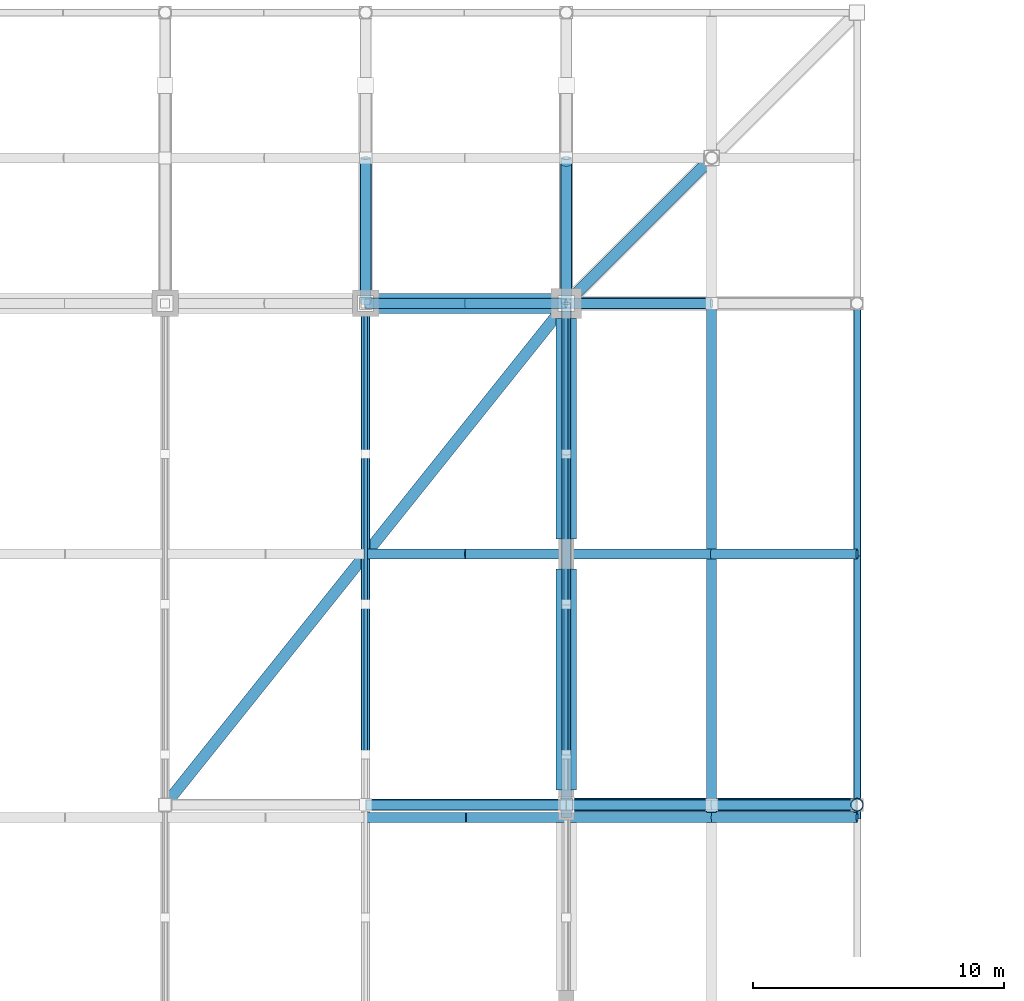
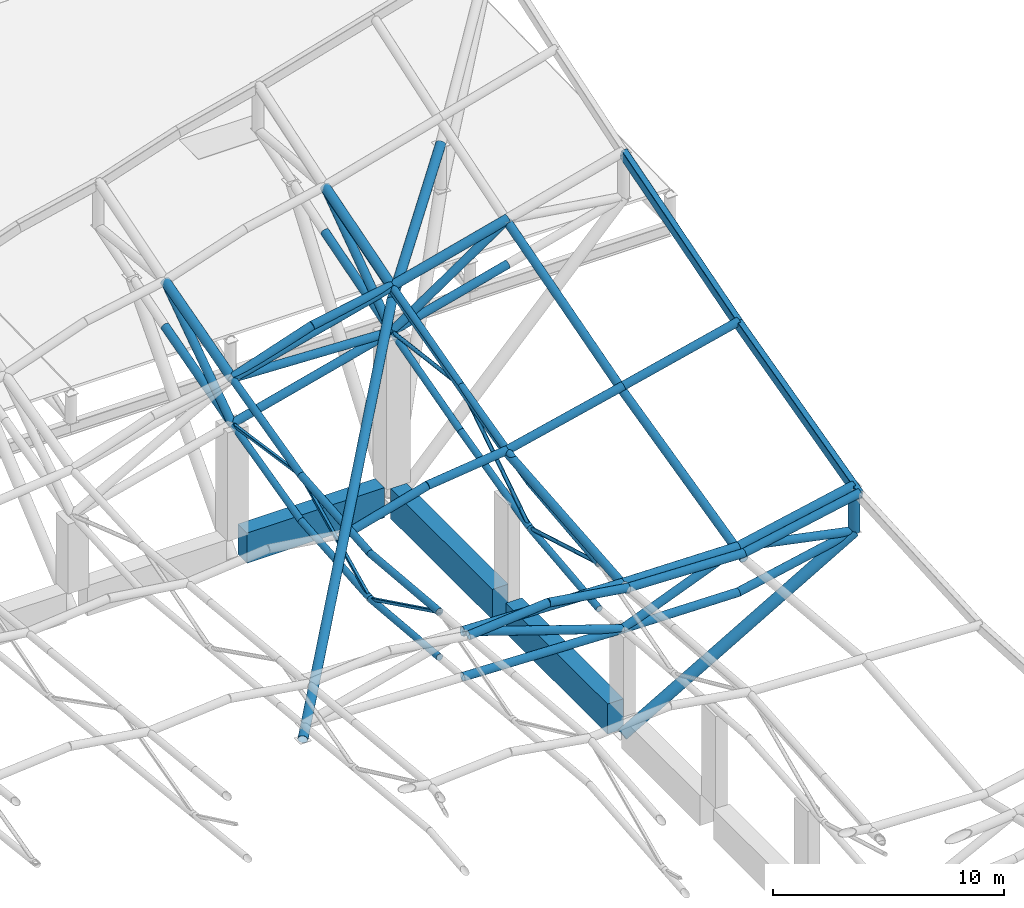
# One storey, part 42 of 75: 58 members, 5 beams.
"""IFC4 building model written with IfcOpenShell, lengths in metres."""

from ifc_helpers import new_model, si_unit, direction, frame, origin, origin_2d, place, context, subcontext, project, spatial, rectangle, hollow_rectangle, hollow_circle, extrude, material, material_profile, profile_set, type_object, element, save


model = new_model("IFC4")

# Units and contexts
model_context = context("Model", 3, precision=1e-05, world=origin(), true_north=direction((0.0, 1.0)))
body_context = subcontext(model_context, "Body", "Model", "MODEL_VIEW")
ifc_project = project(units=[si_unit("LENGTHUNIT", "METRE"), si_unit("AREAUNIT", "SQUARE_METRE"), si_unit("VOLUMEUNIT", "CUBIC_METRE"), si_unit("PLANEANGLEUNIT", "RADIAN"), si_unit("MASSUNIT", "GRAM", prefix="KILO")], contexts=[model_context])

# Site, building, storey
site_placement = place(None, origin())
site = spatial("IfcSite", under=ifc_project, at=site_placement, CompositionType="ELEMENT")
building_placement = place(site_placement, origin())
building = spatial("IfcBuilding", under=site, at=building_placement, Name="Khorjan Park Terminus", CompositionType="ELEMENT")
storey_placement = place(building_placement, frame((0.0, 0.0, 16.2)))
storey = spatial("IfcBuildingStorey", under=building, at=storey_placement, Name="L03", CompositionType="ELEMENT", Elevation=16.2)

# Members
ifc_material_1 = material(Name="Steel S355", Category="steel")
ifc_material_profile_1 = material_profile(ifc_material_1, hollow_circle(Radius=0.0969, WallThickness=0.01, at=origin_2d()), Name="CHS 193.7x10")
ifc_profile_set_1 = profile_set([ifc_material_profile_1], Name="Steel S355")
member_type_1 = type_object("IfcMemberType", Name="MB-BR-194", PredefinedType="BRACE", material=ifc_profile_set_1)
member_1_placement = place(storey_placement, frame((136.0, 70.0, 6.4368), z_axis=(0.0, 0.959849356938, -0.280515974565), x_axis=(-1.0, 0.0, 0.0)))
element("IfcMember", 1, at=member_1_placement, inside=storey, type_object=member_type_1, Name="Upper shell fold space-truss web diagonal (12)", PredefinedType="BRACE", context=body_context, shape_type="SweptSolid", body=[
    extrude(hollow_circle(Radius=0.0969, WallThickness=0.01, at=origin_2d()), origin(), (0.0, 0.0, 1.0), 6.251),
])
member_2_placement = place(storey_placement, frame((136.0, 76.0, 4.6833), z_axis=(0.0, 0.839222492699, 0.543788201186), x_axis=(-1.0, 0.0, 0.0)))
element("IfcMember", 2, at=member_2_placement, inside=storey, type_object=member_type_1, Name="Upper shell fold space-truss web diagonal (12)", PredefinedType="BRACE", context=body_context, shape_type="SweptSolid", body=[
    extrude(hollow_circle(Radius=0.0969, WallThickness=0.01, at=origin_2d()), origin(), (0.0, 0.0, 1.0), 7.1495),
])
member_3_placement = place(storey_placement, frame((136.0, 82.0, 8.5711), z_axis=(0.0, 0.992247315967, -0.124278976325), x_axis=(-1.0, 0.0, 0.0)))
element("IfcMember", 3, at=member_3_placement, inside=storey, type_object=member_type_1, Name="Upper shell fold space-truss web diagonal (12)", PredefinedType="BRACE", context=body_context, shape_type="SweptSolid", body=[
    extrude(hollow_circle(Radius=0.0969, WallThickness=0.01, at=origin_2d()), origin(), (0.0, 0.0, 1.0), 6.0469),
])
ifc_material_profile_2 = material_profile(ifc_material_1, hollow_rectangle(XDim=0.15, YDim=0.15, WallThickness=0.01, InnerFilletRadius=0.01, OuterFilletRadius=0.02, at=origin_2d()), Name="SHS 150x150x10")
ifc_profile_set_2 = profile_set([ifc_material_profile_2], Name="Steel S355")
member_type_2 = type_object("IfcMemberType", Name="MB-BR-SHS150", PredefinedType="BRACE", material=ifc_profile_set_2)
member_4_placement = place(storey_placement, frame((128.0, 70.0, 6.6796), z_axis=(0.0, 0.898043521521, -0.439906619017), x_axis=(-1.0, 0.0, 0.0)))
element("IfcMember", 4, at=member_4_placement, inside=storey, type_object=member_type_2, Name="Upper shell fold space-truss web diagonal (11)", PredefinedType="BRACE", context=body_context, shape_type="SweptSolid", body=[
    extrude(hollow_rectangle(XDim=0.15, YDim=0.15, WallThickness=0.01, InnerFilletRadius=0.01, OuterFilletRadius=0.02, at=origin_2d()), origin(), (0.0, 0.0, 1.0), 6.6812),
])
member_5_placement = place(storey_placement, frame((128.0, 76.0, 3.7405), z_axis=(0.0, 0.900443010963, 0.434974003829), x_axis=(-1.0, 0.0, 0.0)))
element("IfcMember", 5, at=member_5_placement, inside=storey, type_object=member_type_2, Name="Upper shell fold space-truss web diagonal (11)", PredefinedType="BRACE", context=body_context, shape_type="SweptSolid", body=[
    extrude(hollow_rectangle(XDim=0.15, YDim=0.15, WallThickness=0.01, InnerFilletRadius=0.01, OuterFilletRadius=0.02, at=origin_2d()), origin(), (0.0, 0.0, 1.0), 6.6634),
])
member_6_placement = place(storey_placement, frame((128.0, 82.0, 6.6389), z_axis=(0.0, 0.988987074214, -0.148001915656), x_axis=(-1.0, 0.0, 0.0)))
element("IfcMember", 6, at=member_6_placement, inside=storey, type_object=member_type_2, Name="Upper shell fold space-truss web diagonal (11)", PredefinedType="BRACE", context=body_context, shape_type="SweptSolid", body=[
    extrude(hollow_rectangle(XDim=0.15, YDim=0.15, WallThickness=0.01, InnerFilletRadius=0.01, OuterFilletRadius=0.02, at=origin_2d()), origin(), (0.0, 0.0, 1.0), 6.0668),
])
ifc_material_profile_3 = material_profile(ifc_material_1, hollow_circle(Radius=0.162, WallThickness=0.0125, at=origin_2d()), Name="CHS 323.9x12.5")
ifc_profile_set_3 = profile_set([ifc_material_profile_3], Name="Steel S355")
member_type_3 = type_object("IfcMemberType", Name="MB-CH-324", PredefinedType="CHORD", material=ifc_profile_set_3)
member_7_placement = place(storey_placement, frame((128.0, 70.0, 4.2796), z_axis=(0.0, 0.995987765616, -0.089489500741), x_axis=(-1.0, 0.0, 0.0)))
element("IfcMember", 7, at=member_7_placement, inside=storey, type_object=member_type_3, Name="Upper shell fold space-truss bottom chord (11)", PredefinedType="CHORD", context=body_context, shape_type="SweptSolid", body=[
    extrude(hollow_circle(Radius=0.162, WallThickness=0.0125, at=origin_2d()), origin(), (0.0, 0.0, 1.0), 6.0242),
])
member_8_placement = place(storey_placement, frame((128.0, 76.0, 3.7405), z_axis=(0.0, 0.996567716516, 0.082781558319), x_axis=(-1.0, 0.0, 0.0)))
element("IfcMember", 8, at=member_8_placement, inside=storey, type_object=member_type_3, Name="Upper shell fold space-truss bottom chord (11)", PredefinedType="CHORD", context=body_context, shape_type="SweptSolid", body=[
    extrude(hollow_circle(Radius=0.162, WallThickness=0.0125, at=origin_2d()), origin(), (0.0, 0.0, 1.0), 6.0207),
])
member_9_placement = place(storey_placement, frame((128.0, 82.0, 4.2389), z_axis=(0.0, 0.970062560013, 0.242855161899), x_axis=(-1.0, 0.0, 0.0)))
element("IfcMember", 9, at=member_9_placement, inside=storey, type_object=member_type_3, Name="Upper shell fold space-truss bottom chord (11)", PredefinedType="CHORD", context=body_context, shape_type="SweptSolid", body=[
    extrude(hollow_circle(Radius=0.162, WallThickness=0.0125, at=origin_2d()), origin(), (0.0, 0.0, 1.0), 6.1852),
])
member_10_placement = place(storey_placement, frame((136.0, 70.0, 4.0368), z_axis=(0.0, 0.994245032198, 0.107129902219), x_axis=(-1.0, 0.0, 0.0)))
element("IfcMember", 10, at=member_10_placement, inside=storey, type_object=member_type_3, Name="Upper shell fold space-truss bottom chord (12)", PredefinedType="CHORD", context=body_context, shape_type="SweptSolid", body=[
    extrude(hollow_circle(Radius=0.162, WallThickness=0.0125, at=origin_2d()), origin(), (0.0, 0.0, 1.0), 6.0347),
])
member_11_placement = place(storey_placement, frame((136.0, 76.0, 4.6833), z_axis=(0.0, 0.970605089876, 0.240677708786), x_axis=(-1.0, 0.0, 0.0)))
element("IfcMember", 11, at=member_11_placement, inside=storey, type_object=member_type_3, Name="Upper shell fold space-truss bottom chord (12)", PredefinedType="CHORD", context=body_context, shape_type="SweptSolid", body=[
    extrude(hollow_circle(Radius=0.162, WallThickness=0.0125, at=origin_2d()), origin(), (0.0, 0.0, 1.0), 6.1817),
])
member_12_placement = place(storey_placement, frame((136.0, 82.0, 6.1711), z_axis=(0.0, 0.964266999163, 0.26493235802), x_axis=(-1.0, 0.0, 0.0)))
element("IfcMember", 12, at=member_12_placement, inside=storey, type_object=member_type_3, Name="Upper shell fold space-truss bottom chord (12)", PredefinedType="CHORD", context=body_context, shape_type="SweptSolid", body=[
    extrude(hollow_circle(Radius=0.162, WallThickness=0.0125, at=origin_2d()), origin(), (0.0, 0.0, 1.0), 6.2223),
])
ifc_material_profile_4 = material_profile(ifc_material_1, hollow_circle(Radius=0.1778, WallThickness=0.016, at=origin_2d()), Name="CHS 355.6x16")
ifc_profile_set_4 = profile_set([ifc_material_profile_4], Name="Steel S355")
member_type_4 = type_object("IfcMemberType", Name="MB-CH-356", PredefinedType="CHORD", material=ifc_profile_set_4)
member_13_placement = place(storey_placement, frame((128.0, 70.0, 6.6796), z_axis=(0.0, 0.995987765616, -0.089489500741), x_axis=(-1.0, 0.0, 0.0)))
element("IfcMember", 13, at=member_13_placement, inside=storey, type_object=member_type_4, Name="Upper shell fold space-truss top chord (11)", PredefinedType="CHORD", context=body_context, shape_type="SweptSolid", body=[
    extrude(hollow_circle(Radius=0.1778, WallThickness=0.016, at=origin_2d()), origin(), (0.0, 0.0, 1.0), 6.0242),
])
member_14_placement = place(storey_placement, frame((128.0, 76.0, 6.1405), z_axis=(0.0, 0.996567716516, 0.082781558319), x_axis=(-1.0, 0.0, 0.0)))
element("IfcMember", 14, at=member_14_placement, inside=storey, type_object=member_type_4, Name="Upper shell fold space-truss top chord (11)", PredefinedType="CHORD", context=body_context, shape_type="SweptSolid", body=[
    extrude(hollow_circle(Radius=0.1778, WallThickness=0.016, at=origin_2d()), origin(), (0.0, 0.0, 1.0), 6.0207),
])
member_15_placement = place(storey_placement, frame((128.0, 82.0, 6.6389), z_axis=(0.0, 0.970062560013, 0.242855161899), x_axis=(-1.0, 0.0, 0.0)))
element("IfcMember", 15, at=member_15_placement, inside=storey, type_object=member_type_4, Name="Upper shell fold space-truss top chord (11)", PredefinedType="CHORD", context=body_context, shape_type="SweptSolid", body=[
    extrude(hollow_circle(Radius=0.1778, WallThickness=0.016, at=origin_2d()), origin(), (0.0, 0.0, 1.0), 6.1852),
])
member_16_placement = place(storey_placement, frame((136.0, 70.0, 6.4368), z_axis=(0.0, 0.994245032198, 0.107129902219), x_axis=(-1.0, 0.0, 0.0)))
element("IfcMember", 16, at=member_16_placement, inside=storey, type_object=member_type_4, Name="Upper shell fold space-truss top chord (12)", PredefinedType="CHORD", context=body_context, shape_type="SweptSolid", body=[
    extrude(hollow_circle(Radius=0.1778, WallThickness=0.016, at=origin_2d()), origin(), (0.0, 0.0, 1.0), 6.0347),
])
member_17_placement = place(storey_placement, frame((136.0, 76.0, 7.0833), z_axis=(0.0, 0.970605089876, 0.240677708786), x_axis=(-1.0, 0.0, 0.0)))
element("IfcMember", 17, at=member_17_placement, inside=storey, type_object=member_type_4, Name="Upper shell fold space-truss top chord (12)", PredefinedType="CHORD", context=body_context, shape_type="SweptSolid", body=[
    extrude(hollow_circle(Radius=0.1778, WallThickness=0.016, at=origin_2d()), origin(), (0.0, 0.0, 1.0), 6.1817),
])
member_18_placement = place(storey_placement, frame((136.0, 82.0, 8.5711), z_axis=(0.0, 0.964266999163, 0.26493235802), x_axis=(-1.0, 0.0, 0.0)))
element("IfcMember", 18, at=member_18_placement, inside=storey, type_object=member_type_4, Name="Upper shell fold space-truss top chord (12)", PredefinedType="CHORD", context=body_context, shape_type="SweptSolid", body=[
    extrude(hollow_circle(Radius=0.1778, WallThickness=0.016, at=origin_2d()), origin(), (0.0, 0.0, 1.0), 6.2223),
])
ifc_material_profile_5 = material_profile(ifc_material_1, hollow_circle(Radius=0.2032, WallThickness=0.016, at=origin_2d()), Name="CHS 406.4x16")
ifc_profile_set_5 = profile_set([ifc_material_profile_5], Name="Steel S355")
member_type_5 = type_object("IfcMemberType", Name="MB-CH-406", PredefinedType="CHORD", material=ifc_profile_set_5)
member_19_placement = place(storey_placement, frame((128.0, 67.5, 6.9442), z_axis=(0.996292558823, 0.0, 0.086029862454), x_axis=(0.0, 1.0, 0.0)))
element("IfcMember", 19, at=member_19_placement, inside=storey, type_object=member_type_5, Name="Upper shell fold rib chord (189)", PredefinedType="CHORD", context=body_context, shape_type="SweptSolid", body=[
    extrude(hollow_circle(Radius=0.2032, WallThickness=0.016, at=origin_2d()), origin(), (0.0, 0.0, 1.0), 4.0149),
])
member_20_placement = place(storey_placement, frame((132.0, 67.5, 7.2896), z_axis=(0.988618677516, 0.0, -0.150443047251), x_axis=(0.0, 1.0, 0.0)))
element("IfcMember", 20, at=member_20_placement, inside=storey, type_object=member_type_5, Name="Upper shell fold rib chord (190)", PredefinedType="CHORD", context=body_context, shape_type="SweptSolid", body=[
    extrude(hollow_circle(Radius=0.2032, WallThickness=0.016, at=origin_2d()), origin(), (0.0, 0.0, 1.0), 4.046),
])
member_21_placement = place(storey_placement, frame((128.0, 78.0, 6.0008), z_axis=(0.962669755627, 0.0, 0.270678668538), x_axis=(0.0, 1.0, 0.0)))
element("IfcMember", 21, at=member_21_placement, inside=storey, type_object=member_type_5, Name="Upper shell fold rib chord (215)", PredefinedType="CHORD", context=body_context, shape_type="SweptSolid", body=[
    extrude(hollow_circle(Radius=0.2032, WallThickness=0.016, at=origin_2d()), origin(), (0.0, 0.0, 1.0), 4.1551),
])
member_22_placement = place(storey_placement, frame((132.0, 78.0, 7.1255), z_axis=(0.992996736267, 0.0, 0.118141786697), x_axis=(0.0, 1.0, 0.0)))
element("IfcMember", 22, at=member_22_placement, inside=storey, type_object=member_type_5, Name="Upper shell fold rib chord (216)", PredefinedType="CHORD", context=body_context, shape_type="SweptSolid", body=[
    extrude(hollow_circle(Radius=0.2032, WallThickness=0.016, at=origin_2d()), origin(), (0.0, 0.0, 1.0), 4.0282),
])
member_23_placement = place(storey_placement, frame((128.0, 68.0, 4.4593), z_axis=(0.999475532887, 0.0, -0.032383007266), x_axis=(0.0, 1.0, 0.0)))
element("IfcMember", 23, at=member_23_placement, inside=storey, type_object=member_type_5, Name="Upper shell longitudinal truss bottom chord (E3)", PredefinedType="CHORD", context=body_context, shape_type="SweptSolid", body=[
    extrude(hollow_circle(Radius=0.2032, WallThickness=0.016, at=origin_2d()), origin(), (0.0, 0.0, 1.0), 8.0042),
])
member_24_placement = place(storey_placement, frame((128.0, 88.0, 5.741), z_axis=(0.967863743129, 0.0, 0.251475197059), x_axis=(0.0, 1.0, 0.0)))
element("IfcMember", 24, at=member_24_placement, inside=storey, type_object=member_type_5, Name="Upper shell longitudinal truss bottom chord (E4)", PredefinedType="CHORD", context=body_context, shape_type="SweptSolid", body=[
    extrude(hollow_circle(Radius=0.2032, WallThickness=0.016, at=origin_2d()), origin(), (0.0, 0.0, 1.0), 8.2656),
])
ifc_material_profile_6 = material_profile(ifc_material_1, hollow_circle(Radius=0.2285, WallThickness=0.016, at=origin_2d()), Name="CHS 457x16")
ifc_profile_set_6 = profile_set([ifc_material_profile_6], Name="Steel S355")
member_type_6 = type_object("IfcMemberType", Name="MB-CH-457", PredefinedType="CHORD", material=ifc_profile_set_6)
member_25_placement = place(storey_placement, frame((128.0, 68.0, 6.8593), z_axis=(0.999475532887, 0.0, -0.032383007266), x_axis=(0.0, 1.0, 0.0)))
element("IfcMember", 25, at=member_25_placement, inside=storey, type_object=member_type_6, Name="Upper shell longitudinal truss top chord (E3)", PredefinedType="CHORD", context=body_context, shape_type="SweptSolid", body=[
    extrude(hollow_circle(Radius=0.2285, WallThickness=0.016, at=origin_2d()), origin(), (0.0, 0.0, 1.0), 8.0042),
])
member_26_placement = place(storey_placement, frame((128.0, 88.0, 8.141), z_axis=(0.967863743129, 0.0, 0.251475197059), x_axis=(0.0, 1.0, 0.0)))
element("IfcMember", 26, at=member_26_placement, inside=storey, type_object=member_type_6, Name="Upper shell longitudinal truss top chord (E4)", PredefinedType="CHORD", context=body_context, shape_type="SweptSolid", body=[
    extrude(hollow_circle(Radius=0.2285, WallThickness=0.016, at=origin_2d()), origin(), (0.0, 0.0, 1.0), 8.2656),
])
ifc_material_profile_7 = material_profile(ifc_material_1, hollow_circle(Radius=0.2032, WallThickness=0.016, at=origin_2d()), Name="CHS 406.4x16")
ifc_profile_set_7 = profile_set([ifc_material_profile_7], Name="Steel S355")
member_type_7 = type_object("IfcMemberType", Name="MB-CHE-406", PredefinedType="CHORD", material=ifc_profile_set_7)
member_27_placement = place(storey_placement, frame((136.0, 67.5, 6.5409), z_axis=(0.0, 0.996179286637, 0.087331717462), x_axis=(-1.0, 0.0, 0.0)))
element("IfcMember", 27, at=member_27_placement, inside=storey, type_object=member_type_7, Name="Upper shell overhang fold purlin TCE-41 (Y27)", PredefinedType="CHORD", context=body_context, shape_type="SweptSolid", body=[
    extrude(hollow_circle(Radius=0.2032, WallThickness=0.016, at=origin_2d()), origin(), (0.0, 0.0, 1.0), 10.5403),
])
member_28_placement = place(storey_placement, frame((136.0, 78.0, 7.4614), z_axis=(0.0, 0.966438351588, 0.256898642619), x_axis=(-1.0, 0.0, 0.0)))
element("IfcMember", 28, at=member_28_placement, inside=storey, type_object=member_type_7, Name="Upper shell overhang fold purlin TCE-41 (Y28)", PredefinedType="CHORD", context=body_context, shape_type="SweptSolid", body=[
    extrude(hollow_circle(Radius=0.2032, WallThickness=0.016, at=origin_2d()), origin(), (0.0, 0.0, 1.0), 10.3473),
])
member_29_placement = place(storey_placement, frame((136.0, 88.0, 10.1196), z_axis=(0.0, 0.95754410517, 0.288286813181), x_axis=(-1.0, 0.0, 0.0)))
element("IfcMember", 29, at=member_29_placement, inside=storey, type_object=member_type_7, Name="Upper shell overhang fold purlin TCE-41 (Y29)", PredefinedType="CHORD", context=body_context, shape_type="SweptSolid", body=[
    extrude(hollow_circle(Radius=0.2032, WallThickness=0.016, at=origin_2d()), origin(), (0.0, 0.0, 1.0), 6.0572),
])
member_30_placement = place(storey_placement, frame((141.8, 67.5, 6.17), z_axis=(0.0, 0.972410414812, 0.233276627988), x_axis=(-1.0, 0.0, 0.0)))
element("IfcMember", 30, at=member_30_placement, inside=storey, type_object=member_type_7, Name="Upper shell overhang fold purlin TCE-41 (Y37)", PredefinedType="CHORD", context=body_context, shape_type="SweptSolid", body=[
    extrude(hollow_circle(Radius=0.2032, WallThickness=0.016, at=origin_2d()), origin(), (0.0, 0.0, 1.0), 10.7979),
])
member_31_placement = place(storey_placement, frame((141.8, 78.0, 8.6889), z_axis=(0.0, 0.960721582771, 0.277514036399), x_axis=(-1.0, 0.0, 0.0)))
element("IfcMember", 31, at=member_31_placement, inside=storey, type_object=member_type_7, Name="Upper shell overhang fold purlin TCE-41 (Y38)", PredefinedType="CHORD", context=body_context, shape_type="SweptSolid", body=[
    extrude(hollow_circle(Radius=0.2032, WallThickness=0.016, at=origin_2d()), origin(), (0.0, 0.0, 1.0), 10.4088),
])
member_32_placement = place(storey_placement, frame((136.0, 67.5, 6.6809), z_axis=(0.999458780806, 0.0, -0.032895979527), x_axis=(0.0, 1.0, 0.0)))
element("IfcMember", 32, at=member_32_placement, inside=storey, type_object=member_type_7, Name="Upper shell fold rib chord (191)", PredefinedType="CHORD", context=body_context, shape_type="SweptSolid", body=[
    extrude(hollow_circle(Radius=0.2032, WallThickness=0.016, at=origin_2d()), origin(), (0.0, 0.0, 1.0), 5.8031),
])
member_33_placement = place(storey_placement, frame((141.8, 67.5, 6.49), z_axis=(0.980684589092, 0.0, 0.195595850459), x_axis=(0.0, 1.0, 0.0)))
element("IfcMember", 33, at=member_33_placement, inside=storey, type_object=member_type_7, Name="Upper shell fold rib chord (192)", PredefinedType="CHORD", context=body_context, shape_type="SweptSolid", body=[
    extrude(hollow_circle(Radius=0.2032, WallThickness=0.016, at=origin_2d()), origin(), (0.0, 0.0, 1.0), 5.9142),
])
member_34_placement = place(storey_placement, frame((136.0, 78.0, 7.6014), z_axis=(0.973499651722, 0.0, 0.228688495771), x_axis=(0.0, 1.0, 0.0)))
element("IfcMember", 34, at=member_34_placement, inside=storey, type_object=member_type_7, Name="Upper shell fold rib chord (217)", PredefinedType="CHORD", context=body_context, shape_type="SweptSolid", body=[
    extrude(hollow_circle(Radius=0.2032, WallThickness=0.016, at=origin_2d()), origin(), (0.0, 0.0, 1.0), 5.9579),
])
member_35_placement = place(storey_placement, frame((141.8, 78.0, 8.9639), z_axis=(0.972269251704, 0.0, 0.233864281561), x_axis=(0.0, 1.0, 0.0)))
element("IfcMember", 35, at=member_35_placement, inside=storey, type_object=member_type_7, Name="Upper shell fold rib chord (218)", PredefinedType="CHORD", context=body_context, shape_type="SweptSolid", body=[
    extrude(hollow_circle(Radius=0.2032, WallThickness=0.016, at=origin_2d()), origin(), (0.0, 0.0, 1.0), 5.9654),
])
member_36_placement = place(storey_placement, frame((128.0, 88.0, 8.181), z_axis=(0.947528159205, 0.0, 0.319672312712), x_axis=(0.0, 1.0, 0.0)))
element("IfcMember", 36, at=member_36_placement, inside=storey, type_object=member_type_7, Name="Upper shell fold rib chord (239)", PredefinedType="CHORD", context=body_context, shape_type="SweptSolid", body=[
    extrude(hollow_circle(Radius=0.2032, WallThickness=0.016, at=origin_2d()), origin(), (0.0, 0.0, 1.0), 4.2215),
])
member_37_placement = place(storey_placement, frame((132.0, 88.0, 9.5305), z_axis=(0.983790717148, 0.0, 0.179320452968), x_axis=(0.0, 1.0, 0.0)))
element("IfcMember", 37, at=member_37_placement, inside=storey, type_object=member_type_7, Name="Upper shell fold rib chord (240)", PredefinedType="CHORD", context=body_context, shape_type="SweptSolid", body=[
    extrude(hollow_circle(Radius=0.2032, WallThickness=0.016, at=origin_2d()), origin(), (0.0, 0.0, 1.0), 4.0659),
])
member_38_placement = place(storey_placement, frame((128.0, 88.0, 5.741), z_axis=(0.0, 0.963131983886, 0.269029332258), x_axis=(-1.0, 0.0, 0.0)))
element("IfcMember", 38, at=member_38_placement, inside=storey, type_object=member_type_7, Name="Upper shell fold space-truss bottom chord (11)", PredefinedType="CHORD", context=body_context, shape_type="SweptSolid", body=[
    extrude(hollow_circle(Radius=0.2032, WallThickness=0.016, at=origin_2d()), origin(), (0.0, 0.0, 1.0), 6.022),
])
member_39_placement = place(storey_placement, frame((136.0, 88.0, 7.8196), z_axis=(0.0, 0.95754410517, 0.288286813181), x_axis=(-1.0, 0.0, 0.0)))
element("IfcMember", 39, at=member_39_placement, inside=storey, type_object=member_type_7, Name="Upper shell fold space-truss bottom chord (12)", PredefinedType="CHORD", context=body_context, shape_type="SweptSolid", body=[
    extrude(hollow_circle(Radius=0.2032, WallThickness=0.016, at=origin_2d()), origin(), (0.0, 0.0, 1.0), 6.0572),
])
member_40_placement = place(storey_placement, frame((136.0, 68.0, 4.2001), z_axis=(0.999889833755, 0.0, -0.014843192187), x_axis=(0.0, 1.0, 0.0)))
element("IfcMember", 40, at=member_40_placement, inside=storey, type_object=member_type_7, Name="Upper shell longitudinal truss bottom chord (E3)", PredefinedType="CHORD", context=body_context, shape_type="SweptSolid", body=[
    extrude(hollow_circle(Radius=0.2032, WallThickness=0.016, at=origin_2d()), origin(), (0.0, 0.0, 1.0), 5.8006),
])
member_41_placement = place(storey_placement, frame((141.8, 68.0, 4.114), z_axis=(0.978843164091, 0.0, 0.204611974508), x_axis=(0.0, 1.0, 0.0)))
element("IfcMember", 41, at=member_41_placement, inside=storey, type_object=member_type_7, Name="Upper shell longitudinal truss bottom chord (E3)", PredefinedType="CHORD", context=body_context, shape_type="SweptSolid", body=[
    extrude(hollow_circle(Radius=0.2032, WallThickness=0.016, at=origin_2d()), origin(), (0.0, 0.0, 1.0), 5.9254),
])
member_42_placement = place(storey_placement, frame((136.0, 88.0, 7.8196), z_axis=(0.967009499939, 0.0, 0.254740312923), x_axis=(0.0, 1.0, 0.0)))
element("IfcMember", 42, at=member_42_placement, inside=storey, type_object=member_type_7, Name="Upper shell longitudinal truss bottom chord (E4)", PredefinedType="CHORD", context=body_context, shape_type="SweptSolid", body=[
    extrude(hollow_circle(Radius=0.2032, WallThickness=0.016, at=origin_2d()), origin(), (0.0, 0.0, 1.0), 5.9979),
])
ifc_material_profile_8 = material_profile(ifc_material_1, hollow_circle(Radius=0.2285, WallThickness=0.016, at=origin_2d()), Name="CHS 457x16")
ifc_profile_set_8 = profile_set([ifc_material_profile_8], Name="Steel S355")
member_type_8 = type_object("IfcMemberType", Name="MB-CHE-457", PredefinedType="CHORD", material=ifc_profile_set_8)
member_43_placement = place(storey_placement, frame((128.0, 88.0, 8.141), z_axis=(0.0, 0.963131983886, 0.269029332258), x_axis=(-1.0, 0.0, 0.0)))
element("IfcMember", 43, at=member_43_placement, inside=storey, type_object=member_type_8, Name="Upper shell fold space-truss top chord (11)", PredefinedType="CHORD", context=body_context, shape_type="SweptSolid", body=[
    extrude(hollow_circle(Radius=0.2285, WallThickness=0.016, at=origin_2d()), origin(), (0.0, 0.0, 1.0), 6.022),
])
member_44_placement = place(storey_placement, frame((136.0, 88.0, 10.2196), z_axis=(0.0, 0.95754410517, 0.288286813181), x_axis=(-1.0, 0.0, 0.0)))
element("IfcMember", 44, at=member_44_placement, inside=storey, type_object=member_type_8, Name="Upper shell fold space-truss top chord (12)", PredefinedType="CHORD", context=body_context, shape_type="SweptSolid", body=[
    extrude(hollow_circle(Radius=0.2285, WallThickness=0.016, at=origin_2d()), origin(), (0.0, 0.0, 1.0), 6.0572),
])
member_45_placement = place(storey_placement, frame((136.0, 68.0, 6.6001), z_axis=(0.999889833755, 0.0, -0.014843192187), x_axis=(0.0, 1.0, 0.0)))
element("IfcMember", 45, at=member_45_placement, inside=storey, type_object=member_type_8, Name="Upper shell longitudinal truss top chord (E3)", PredefinedType="CHORD", context=body_context, shape_type="SweptSolid", body=[
    extrude(hollow_circle(Radius=0.2285, WallThickness=0.016, at=origin_2d()), origin(), (0.0, 0.0, 1.0), 5.8006),
])
member_46_placement = place(storey_placement, frame((141.8, 68.0, 6.514), z_axis=(0.978843164091, 0.0, 0.204611974508), x_axis=(0.0, 1.0, 0.0)))
element("IfcMember", 46, at=member_46_placement, inside=storey, type_object=member_type_8, Name="Upper shell longitudinal truss top chord (E3)", PredefinedType="CHORD", context=body_context, shape_type="SweptSolid", body=[
    extrude(hollow_circle(Radius=0.2285, WallThickness=0.016, at=origin_2d()), origin(), (0.0, 0.0, 1.0), 5.9254),
])
member_47_placement = place(storey_placement, frame((136.0, 88.0, 10.2196), z_axis=(0.967009499939, 0.0, 0.254740312923), x_axis=(0.0, 1.0, 0.0)))
element("IfcMember", 47, at=member_47_placement, inside=storey, type_object=member_type_8, Name="Upper shell longitudinal truss top chord (E4)", PredefinedType="CHORD", context=body_context, shape_type="SweptSolid", body=[
    extrude(hollow_circle(Radius=0.2285, WallThickness=0.016, at=origin_2d()), origin(), (0.0, 0.0, 1.0), 5.9979),
])
member_48_placement = place(storey_placement, frame((120.0, 68.0, 3.9485), z_axis=(0.610766171554, 0.763457714443, 0.209992861646), x_axis=(-0.780868809443, 0.624695047554, 0.0)))
element("IfcMember", 48, at=member_48_placement, inside=storey, type_object=member_type_8, Name="Upper shell upturned corner spine truss TCE-46 (NE)", PredefinedType="CHORD", context=body_context, shape_type="SweptSolid", body=[
    extrude(hollow_circle(Radius=0.2285, WallThickness=0.016, at=origin_2d()), origin(), (0.0, 0.0, 1.0), 26.1966),
])
member_49_placement = place(storey_placement, frame((136.0, 88.0, 9.4496), z_axis=(0.6703049189, 0.6703049189, 0.318406393459), x_axis=(-0.707106781187, 0.707106781187, 0.0)))
element("IfcMember", 49, at=member_49_placement, inside=storey, type_object=member_type_8, Name="Upper shell upturned corner spine truss TCE-46 (NE)", PredefinedType="CHORD", context=body_context, shape_type="SweptSolid", body=[
    extrude(hollow_circle(Radius=0.2285, WallThickness=0.016, at=origin_2d()), origin(), (0.0, 0.0, 1.0), 8.6528),
])
ifc_material_profile_9 = material_profile(ifc_material_1, hollow_circle(Radius=0.2032, WallThickness=0.016, at=origin_2d()), Name="CHS 406.4x16")
ifc_profile_set_9 = profile_set([ifc_material_profile_9], Name="Steel S355")
member_type_9 = type_object("IfcMemberType", Name="MB-ST-406", PredefinedType="STRUT", material=ifc_profile_set_9)
member_50_placement = place(storey_placement, frame((128.0, 68.0, 6.8593), z_axis=(0.948948668795, 0.0, -0.315430537507), x_axis=(0.0, 1.0, 0.0)))
element("IfcMember", 50, at=member_50_placement, inside=storey, type_object=member_type_9, Name="Upper shell longitudinal truss diagonal (E3)", PredefinedType="STRUT", context=body_context, shape_type="SweptSolid", body=[
    extrude(hollow_circle(Radius=0.2032, WallThickness=0.016, at=origin_2d()), origin(), (0.0, 0.0, 1.0), 8.4304),
])
member_51_placement = place(storey_placement, frame((128.0, 88.0, 8.141), z_axis=(0.999193960286, 0.0, -0.040142617354), x_axis=(0.0, 1.0, 0.0)))
element("IfcMember", 51, at=member_51_placement, inside=storey, type_object=member_type_9, Name="Upper shell longitudinal truss diagonal (E4)", PredefinedType="STRUT", context=body_context, shape_type="SweptSolid", body=[
    extrude(hollow_circle(Radius=0.2032, WallThickness=0.016, at=origin_2d()), origin(), (0.0, 0.0, 1.0), 8.0065),
])
ifc_material_profile_10 = material_profile(ifc_material_1, hollow_circle(Radius=0.2795, WallThickness=0.02, at=origin_2d()), Name="CHS 559x20")
ifc_profile_set_10 = profile_set([ifc_material_profile_10], Name="Steel S355")
member_type_10 = type_object("IfcMemberType", Name="MB-ST-CHS559", PredefinedType="STRUT", material=ifc_profile_set_10)
member_52_placement = place(storey_placement, frame((136.0, 68.0, -1.4), z_axis=(0.865082970525, 0.0, 0.501628801115), x_axis=(0.0, 1.0, 0.0)))
element("IfcMember", 52, at=member_52_placement, inside=storey, type_object=member_type_10, Name="Upper shell raked longitudinal V-strut STE-56 (E3)", PredefinedType="STRUT", context=body_context, shape_type="SweptSolid", body=[
    extrude(hollow_circle(Radius=0.2795, WallThickness=0.02, at=origin_2d()), origin(), (0.0, 0.0, 1.0), 13.4091),
])
ifc_material_profile_11 = material_profile(ifc_material_1, hollow_circle(Radius=0.2032, WallThickness=0.016, at=origin_2d()), Name="CHS 406.4x16")
ifc_profile_set_11 = profile_set([ifc_material_profile_11], Name="Steel S355")
member_type_11 = type_object("IfcMemberType", Name="MB-STE-406", PredefinedType="STRUT", material=ifc_profile_set_11)
member_53_placement = place(storey_placement, frame((128.0, 88.0, 5.741), z_axis=(0.0, 0.821879356644, 0.56966158649), x_axis=(-1.0, 0.0, 0.0)))
element("IfcMember", 53, at=member_53_placement, inside=storey, type_object=member_type_11, Name="Upper shell fold space-truss web diagonal (11)", PredefinedType="STRUT", context=body_context, shape_type="SweptSolid", body=[
    extrude(hollow_circle(Radius=0.2032, WallThickness=0.016, at=origin_2d()), origin(), (0.0, 0.0, 1.0), 7.057),
])
member_54_placement = place(storey_placement, frame((136.0, 88.0, 7.8196), z_axis=(0.0, 0.813511648552, 0.581548620212), x_axis=(-1.0, 0.0, 0.0)))
element("IfcMember", 54, at=member_54_placement, inside=storey, type_object=member_type_11, Name="Upper shell fold space-truss web diagonal (12)", PredefinedType="STRUT", context=body_context, shape_type="SweptSolid", body=[
    extrude(hollow_circle(Radius=0.2032, WallThickness=0.016, at=origin_2d()), origin(), (0.0, 0.0, 1.0), 7.1296),
])
member_55_placement = place(storey_placement, frame((136.0, 68.0, 4.2001), z_axis=(0.928813155617, 0.0, 0.370548407031), x_axis=(0.0, 1.0, 0.0)))
element("IfcMember", 55, at=member_55_placement, inside=storey, type_object=member_type_11, Name="Upper shell longitudinal truss diagonal (E3)", PredefinedType="STRUT", context=body_context, shape_type="SweptSolid", body=[
    extrude(hollow_circle(Radius=0.2032, WallThickness=0.016, at=origin_2d()), origin(), (0.0, 0.0, 1.0), 6.2445),
])
member_56_placement = place(storey_placement, frame((141.8, 68.0, 6.514), z_axis=(0.979673911286, 0.0, -0.200596678801), x_axis=(0.0, 1.0, 0.0)))
element("IfcMember", 56, at=member_56_placement, inside=storey, type_object=member_type_11, Name="Upper shell longitudinal truss diagonal (E3)", PredefinedType="STRUT", context=body_context, shape_type="SweptSolid", body=[
    extrude(hollow_circle(Radius=0.2032, WallThickness=0.016, at=origin_2d()), origin(), (0.0, 0.0, 1.0), 5.9203),
])
member_57_placement = place(storey_placement, frame((136.0, 88.0, 7.8196), z_axis=(0.827993737699, 0.0, 0.560737345226), x_axis=(0.0, 1.0, 0.0)))
element("IfcMember", 57, at=member_57_placement, inside=storey, type_object=member_type_11, Name="Upper shell longitudinal truss diagonal (E4)", PredefinedType="STRUT", context=body_context, shape_type="SweptSolid", body=[
    extrude(hollow_circle(Radius=0.2032, WallThickness=0.016, at=origin_2d()), origin(), (0.0, 0.0, 1.0), 7.0049),
])
ifc_material_profile_12 = material_profile(ifc_material_1, hollow_circle(Radius=0.254, WallThickness=0.02, at=origin_2d()), Name="CHS 508x20")
ifc_profile_set_12 = profile_set([ifc_material_profile_12], Name="Steel S355")
member_type_12 = type_object("IfcMemberType", Name="MB-STE-508", PredefinedType="STRUT", material=ifc_profile_set_12)
member_58_placement = place(storey_placement, frame((147.6, 68.0, 5.3264), z_axis=(0.0, 0.0, 1.0), x_axis=(1.0, 0.0, 0.0)))
element("IfcMember", 58, at=member_58_placement, inside=storey, type_object=member_type_12, Name="Upper shell longitudinal tip post (E3)", PredefinedType="STRUT", context=body_context, shape_type="SweptSolid", body=[
    extrude(hollow_circle(Radius=0.254, WallThickness=0.02, at=origin_2d()), origin(), (0.0, 0.0, 1.0), 2.4),
])

# Beams
ifc_material_2 = material(Name="Concrete C50/60", Category="concrete")
ifc_material_profile_13 = material_profile(ifc_material_2, rectangle(XDim=0.8, YDim=1.6, at=origin_2d()), Name="RC 800x1600")
ifc_profile_set_13 = profile_set([ifc_material_profile_13], Name="Concrete C50/60")
beam_type_1 = type_object("IfcBeamType", Name="SP-RC800x1600", PredefinedType="SPANDREL", material=ifc_profile_set_13)
beam_1_placement = place(storey_placement, frame((128.519, 88.0, -0.8), z_axis=(1.0, 0.0, 0.0), x_axis=(0.0, 1.0, 0.0)))
element("IfcBeam", 59, at=beam_1_placement, inside=storey, type_object=beam_type_1, Name="Concourse colonnade ring beam SP-16 (22)", PredefinedType="SPANDREL", context=body_context, shape_type="SweptSolid", body=[
    extrude(rectangle(XDim=0.8, YDim=1.6, at=origin_2d()), origin(), (0.0, 0.0, 1.0), 6.887),
])
for number, where, z_axis, x_axis, name in (
    (60, (136.0, 68.594, -0.8), (0.0, 1.0, 0.0), (-1.0, 0.0, 0.0), "Concourse colonnade ring beam SP-16 (34)"),
    (61, (136.0, 78.594, -0.8), (0.0, 1.0, 0.0), (-1.0, 0.0, 0.0), "Concourse colonnade ring beam SP-16 (36)"),
):
    element("IfcBeam", number, at=place(storey_placement, frame(where, z_axis=z_axis, x_axis=x_axis)), inside=storey, type_object=beam_type_1, Name=name, PredefinedType="SPANDREL", context=body_context, shape_type="SweptSolid", body=[
        extrude(rectangle(XDim=0.8, YDim=1.6, at=origin_2d()), origin(), (0.0, 0.0, 1.0), 8.812),
    ])
ifc_material_profile_14 = material_profile(ifc_material_1, hollow_rectangle(XDim=0.3, YDim=0.5, WallThickness=0.016, InnerFilletRadius=0.016, OuterFilletRadius=0.032, at=origin_2d()), Name="RHS 500x300x16")
ifc_profile_set_14 = profile_set([ifc_material_profile_14], Name="Steel S355")
beam_type_2 = type_object("IfcBeamType", Name="SP-RHS500", PredefinedType="SPANDREL", material=ifc_profile_set_14)
beam_2_placement = place(storey_placement, frame((147.6, 67.5, 7.5068), z_axis=(0.0, 0.968221018632, 0.250096099689), x_axis=(-1.0, 0.0, 0.0)))
element("IfcBeam", 62, at=beam_2_placement, inside=storey, type_object=beam_type_2, Name="Upper folded shell upturned perimeter edge beam SP-R50 (69)", PredefinedType="SPANDREL", context=body_context, shape_type="SweptSolid", body=[
    extrude(hollow_rectangle(XDim=0.3, YDim=0.5, WallThickness=0.016, InnerFilletRadius=0.016, OuterFilletRadius=0.032, at=origin_2d()), origin(), (0.0, 0.0, 1.0), 10.8446),
])
beam_3_placement = place(storey_placement, frame((147.6, 78.0, 10.219), z_axis=(0.0, 0.958512081218, 0.285051907833), x_axis=(-1.0, 0.0, 0.0)))
element("IfcBeam", 63, at=beam_3_placement, inside=storey, type_object=beam_type_2, Name="Upper folded shell upturned perimeter edge beam SP-R50 (70)", PredefinedType="SPANDREL", context=body_context, shape_type="SweptSolid", body=[
    extrude(hollow_rectangle(XDim=0.3, YDim=0.5, WallThickness=0.016, InnerFilletRadius=0.016, OuterFilletRadius=0.032, at=origin_2d()), origin(), (0.0, 0.0, 1.0), 10.4328),
])

save(model, "model.ifc")
